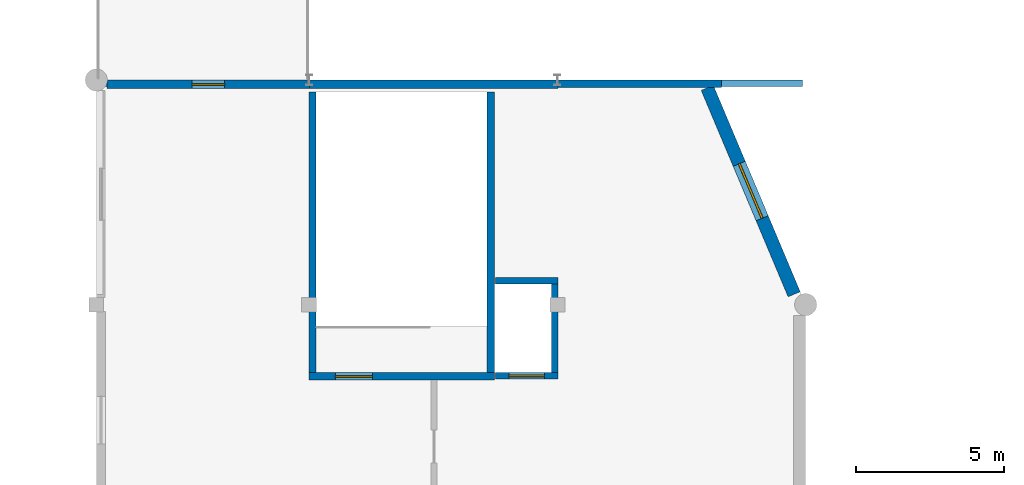
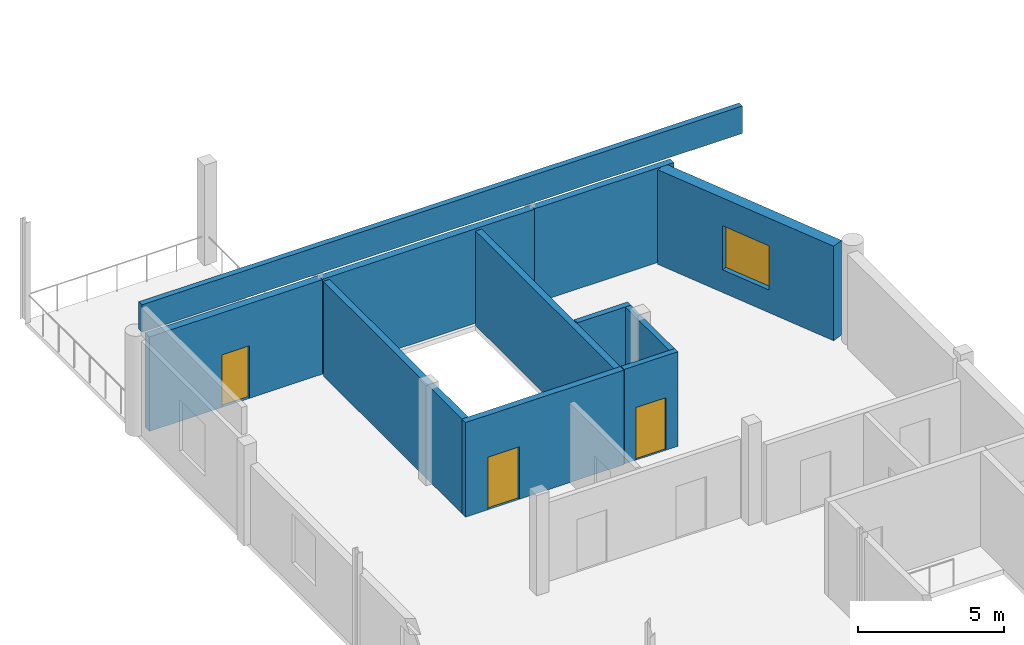
# One storey, part 14 of 17: 11 walls, 3 doors, 1 window, 4 openings.
"""IFC4 building model written with IfcOpenShell, lengths in metres."""

from ifc_helpers import new_model, si_unit, direction, frame, frame_2d, origin, place, context, subcontext, project, spatial, rectangle, extrude, material, layer, layer_set, type_object, element, fill, save


model = new_model("IFC4")

# Units and contexts
model_context = context("Model", 3, precision=1e-05, world=origin(), true_north=direction((0.0, 1.0)))
body_context = subcontext(model_context, "Body", "Model", "MODEL_VIEW")
ifc_project = project(units=[si_unit("LENGTHUNIT", "METRE"), si_unit("AREAUNIT", "SQUARE_METRE"), si_unit("VOLUMEUNIT", "CUBIC_METRE"), si_unit("PLANEANGLEUNIT", "RADIAN"), si_unit("MASSUNIT", "GRAM", prefix="KILO")], contexts=[model_context])

# Site, building, storey
site_placement = place(None, origin())
site = spatial("IfcSite", under=ifc_project, at=site_placement, CompositionType="ELEMENT")
building_placement = place(site_placement, origin())
building = spatial("IfcBuilding", under=site, at=building_placement, Name="Xicomal Pleat Aquarium", CompositionType="ELEMENT")
storey_placement = place(building_placement, frame((0.0, 0.0, 19.800048828125)))
storey = spatial("IfcBuildingStorey", under=building, at=storey_placement, Name="L05", CompositionType="ELEMENT", Elevation=19.800048828125)

# Wall, opening, door
ifc_material_1 = material(Name="Concrete C40/50", Category="concrete")
ifc_layer_1 = layer(ifc_material_1, 0.219970703125)
ifc_layer_set_1 = layer_set([ifc_layer_1], Name="Concrete C40/50")
wall_type_1 = type_object("IfcWallType", Name="WAL-COR-220", PredefinedType="SHEAR", material=ifc_layer_set_1)
wall_1_placement = place(storey_placement, frame((16.5, 65.989990234375, 0.0), z_axis=(0.0, 0.0, 1.0), x_axis=(1.0, 0.0, 0.0)))
wall_1 = element("IfcWall", 1, at=wall_1_placement, inside=storey, type_object=wall_type_1, Name="L05 LF-03 lift shaft wall CW-L05-C3-LS", PredefinedType="SHEAR", context=body_context, shape_type="SweptSolid", body=[
    extrude(rectangle(XDim=2.1201171875, YDim=0.219970703125, at=frame_2d((1.06005859375, 0.0))), origin(), (0.0, 0.0, 1.0), 3.9599609375),
])
opening_1_placement = place(wall_1_placement, frame((0.4599609375, 0.0, 0.0)))
opening_1 = element("IfcOpeningElement", 2, at=opening_1_placement, cuts=wall_1, Name="Opening LD-03-L05", PredefinedType="OPENING", context=body_context, shape_type="SweptSolid", body=[
    extrude(rectangle(XDim=1.199951171875, YDim=2.199951171875, at=frame_2d((0.60009765625, 1.10009765625))), frame((0.0, 0.119873046875, 0.0), z_axis=(0.0, -1.0, 0.0), x_axis=(1.0, 0.0, 0.0)), (0.0, 0.0, 1.0), 0.239990234375),
])
ifc_material_2 = material(Name="Brushed stainless steel 304", Category="steel")
door_type_1 = type_object("IfcDoorType", Name="DOR-LD-1200x2200", OperationType="DOUBLE_DOOR_SLIDING", PredefinedType="DOOR", material=ifc_material_2)
door_1_placement = place(opening_1_placement, origin())
door_1 = element("IfcDoor", 3, at=door_1_placement, inside=storey, type_object=door_type_1, Name="L05 LF-03 sliding lift landing door", OperationType="DOUBLE_DOOR_SLIDING", OverallHeight=2.199951171875, OverallWidth=1.199951171875, PredefinedType="DOOR", context=body_context, shape_type="SweptSolid", body=[
    extrude(rectangle(XDim=1.199951171875, YDim=2.199951171875, at=frame_2d((0.60009765625, 1.10009765625))), frame((0.0, 0.02490234375, 0.0), z_axis=(0.0, -1.0, 0.0), x_axis=(1.0, 0.0, 0.0)), (0.0, 0.0, 1.0), 0.050048828125),
])
fill(opening_1, door_1)

# Walls
wall_2_placement = place(storey_placement, frame((16.5, 69.2099609375, 0.0), z_axis=(0.0, 0.0, 1.0), x_axis=(1.0, 0.0, 0.0)))
element("IfcWall", 4, at=wall_2_placement, inside=storey, type_object=wall_type_1, Name="L05 LF-03 lift shaft wall CW-L05-C3-LN", PredefinedType="SHEAR", context=body_context, shape_type="SweptSolid", body=[
    extrude(rectangle(XDim=2.1201171875, YDim=0.219970703125, at=frame_2d((1.06005859375, 0.0))), origin(), (0.0, 0.0, 1.0), 3.9599609375),
])
wall_3_placement = place(storey_placement, frame((18.510009765625, 66.10009765625, 0.0), z_axis=(0.0, 0.0, 1.0), x_axis=(0.0, 1.0, 0.0)))
element("IfcWall", 5, at=wall_3_placement, inside=storey, type_object=wall_type_1, Name="L05 LF-03 lift shaft wall CW-L05-C3-LE", PredefinedType="SHEAR", context=body_context, shape_type="SweptSolid", body=[
    extrude(rectangle(XDim=3.0, YDim=0.219970703125, at=frame_2d((1.5, 0.0))), origin(), (0.0, 0.0, 1.0), 3.9599609375),
])

# Wall, opening, door
ifc_material_3 = material(Name="Concrete C40/50", Category="concrete")
ifc_layer_2 = layer(ifc_material_3, 0.25)
ifc_layer_set_2 = layer_set([ifc_layer_2], Name="Concrete C40/50")
wall_type_2 = type_object("IfcWallType", Name="WAL-COR-250", PredefinedType="SHEAR", material=ifc_layer_set_2)
wall_4_placement = place(storey_placement, frame((10.18994140625, 65.97509765625, 0.0), z_axis=(0.0, 0.0, 1.0), x_axis=(1.0, 0.0, 0.0)))
wall_4 = element("IfcWall", 6, at=wall_4_placement, inside=storey, type_object=wall_type_2, Name="L05 CORE-3 stair shear wall CW-L05-C3-SS", PredefinedType="SHEAR", context=body_context, shape_type="SweptSolid", body=[
    extrude(rectangle(XDim=6.280029296875, YDim=0.25, at=frame_2d((3.14013671875, 0.0))), origin(), (0.0, 0.0, 1.0), 3.9599609375),
])
opening_2_placement = place(wall_4_placement, frame((0.89990234375, 0.0, 0.0)))
opening_2 = element("IfcOpeningElement", 7, at=opening_2_placement, cuts=wall_4, Name="Opening SD-03-L05", PredefinedType="OPENING", context=body_context, shape_type="SweptSolid", body=[
    extrude(rectangle(XDim=1.25, YDim=2.199951171875, at=frame_2d((0.625, 1.10009765625))), frame((0.0, 0.135009765625, 0.0), z_axis=(0.0, -1.0, 0.0), x_axis=(1.0, 0.0, 0.0)), (0.0, 0.0, 1.0), 0.27001953125),
])
ifc_material_4 = material(Name="Powder-coated steel fire door", Category="steel")
door_type_2 = type_object("IfcDoorType", Name="DOR-ST-1250x2200", OperationType="NOTDEFINED", PredefinedType="DOOR", material=ifc_material_4)
door_2_placement = place(opening_2_placement, origin())
door_2 = element("IfcDoor", 8, at=door_2_placement, inside=storey, type_object=door_type_2, Name="L05 ST-03 protected stair door", OperationType="SINGLE_SWING_LEFT", OverallHeight=2.199951171875, OverallWidth=1.25, PredefinedType="DOOR", context=body_context, shape_type="SweptSolid", body=[
    extrude(rectangle(XDim=1.25, YDim=2.199951171875, at=frame_2d((0.625, 1.10009765625))), frame((0.0, 0.02490234375, 0.0), z_axis=(0.0, -1.0, 0.0), x_axis=(1.0, 0.0, 0.0)), (0.0, 0.0, 1.0), 0.050048828125),
])
fill(opening_2, door_2)

# Walls
for number, where, z_axis, x_axis, name in (
    (9, (10.31494140625, 66.10009765625, 0.0), (0.0, 0.0, 1.0), (0.0, 1.0, 0.0), "L05 CORE-3 stair shear wall CW-L05-C3-SW"),
    (10, (16.344970703125, 66.10009765625, 0.0), (0.0, 0.0, 1.0), (0.0, 1.0, 0.0), "L05 CORE-3 stair shear wall CW-L05-C3-SE"),
):
    element("IfcWall", number, at=place(storey_placement, frame(where, z_axis=z_axis, x_axis=x_axis)), inside=storey, type_object=wall_type_2, Name=name, PredefinedType="SHEAR", context=body_context, shape_type="SweptSolid", body=[
        extrude(rectangle(XDim=9.5, YDim=0.25, at=frame_2d((4.75, 0.0))), origin(), (0.0, 0.0, 1.0), 3.9599609375),
    ])

# Wall, opening, window
ifc_material_5 = material(Name="Volcanic basalt recinto masonry and concrete C40/50", Category="masonry")
ifc_layer_3 = layer(ifc_material_5, 0.445068359375)
ifc_layer_set_3 = layer_set([ifc_layer_3], Name="Volcanic basalt recinto masonry and concrete C40/50")
wall_type_3 = type_object("IfcWallType", Name="WAL-EXT-BAS-445", PredefinedType="SOLIDWALL", material=ifc_layer_set_3)
wall_5_placement = place(storey_placement, frame((23.669921875, 75.735107421875, 0.0), z_axis=(0.0, 0.0, 1.0), x_axis=(0.388046916513, -0.921639620776, 0.0)))
wall_5 = element("IfcWall", 11, at=wall_5_placement, inside=storey, type_object=wall_type_3, Name="L05 exterior basalt-precast wall EW-L05-034B", PredefinedType="SOLIDWALL", context=body_context, shape_type="SweptSolid", body=[
    extrude(rectangle(XDim=7.576904296875, YDim=0.445068359375, at=frame_2d((3.78857421875, 0.0))), origin(), (0.0, 0.0, 1.0), 3.9599609375),
])
opening_3_placement = place(wall_5_placement, frame((2.7880859375, 0.0, 0.949951171875)))
opening_3 = element("IfcOpeningElement", 12, at=opening_3_placement, cuts=wall_5, Name="Opening WN-20", PredefinedType="OPENING", context=body_context, shape_type="SweptSolid", body=[
    extrude(rectangle(XDim=2.0, YDim=1.85009765625, at=frame_2d((1.0, 0.925048828125))), frame((0.0, 0.232421875, 0.0), z_axis=(0.0, -1.0, 0.0), x_axis=(1.0, 0.0, 0.0)), (0.0, 0.0, 1.0), 0.465087890625),
])
ifc_material_6 = material(Name="Insulated low-E laminated glass", Category="glass")
window_type = type_object("IfcWindowType", Name="WIN-EXT-2000x1850", PartitioningType="DOUBLE_PANEL_VERTICAL", PredefinedType="WINDOW", material=ifc_material_6)
window_placement = place(opening_3_placement, origin())
window = element("IfcWindow", 13, at=window_placement, inside=storey, type_object=window_type, Name="L05 thermally broken low-E window 92", OverallHeight=1.85009765625, OverallWidth=2.0, PartitioningType="SINGLE_PANEL", PredefinedType="WINDOW", context=body_context, shape_type="SweptSolid", body=[
    extrude(rectangle(XDim=2.0, YDim=1.85009765625, at=frame_2d((1.0, 0.925048828125))), frame((0.0, 0.030029296875, 0.0), z_axis=(0.0, -1.0, 0.0), x_axis=(1.0, 0.0, 0.0)), (0.0, 0.0, 1.0), 0.06005859375),
])
fill(opening_3, window)

# Walls
ifc_material_7 = material(Name="Precast concrete C40/50", Category="concrete")
ifc_layer_4 = layer(ifc_material_7, 0.260009765625)
ifc_layer_set_4 = layer_set([ifc_layer_4], Name="Precast concrete C40/50")
wall_type_4 = type_object("IfcWallType", Name="WAL-EXT-PRC-260", PredefinedType="SOLIDWALL", material=ifc_layer_set_4)
wall_6_placement = place(storey_placement, frame((18.6201171875, 75.8701171875, 0.0), z_axis=(0.0, 0.0, 1.0), x_axis=(1.0, 0.0, 0.0)))
element("IfcWall", 14, at=wall_6_placement, inside=storey, type_object=wall_type_4, Name="L05 exterior basalt-precast wall EW-L05-033", PredefinedType="SOLIDWALL", context=body_context, shape_type="SweptSolid", body=[
    extrude(rectangle(XDim=5.539794921875, YDim=0.260009765625, at=frame_2d((2.77001953125, 0.0))), origin(), (0.0, 0.0, 1.0), 3.9599609375),
])
ifc_material_8 = material(Name="Precast concrete C40/50", Category="concrete")
ifc_layer_5 = layer(ifc_material_8, 0.280029296875)
ifc_layer_set_5 = layer_set([ifc_layer_5], Name="Precast concrete C40/50")
wall_type_5 = type_object("IfcWallType", Name="WAL-EXT-PRC-280", PredefinedType="SOLIDWALL", material=ifc_layer_set_5)
wall_7_placement = place(storey_placement, frame((10.219970703125, 75.860107421875, 0.0), z_axis=(0.0, 0.0, 1.0), x_axis=(1.0, 0.0, 0.0)))
element("IfcWall", 15, at=wall_7_placement, inside=storey, type_object=wall_type_5, Name="L05 exterior basalt-precast wall EW-L05-032", PredefinedType="SOLIDWALL", context=body_context, shape_type="SweptSolid", body=[
    extrude(rectangle(XDim=8.400146484375, YDim=0.280029296875, at=frame_2d((4.2001953125, 0.0))), origin(), (0.0, 0.0, 1.0), 3.9599609375),
])

# Wall, opening, door
ifc_material_9 = material(Name="Precast concrete C40/50", Category="concrete")
ifc_layer_6 = layer(ifc_material_9, 0.2900390625)
ifc_layer_set_6 = layer_set([ifc_layer_6], Name="Precast concrete C40/50")
wall_type_6 = type_object("IfcWallType", Name="WAL-EXT-PRC-290", PredefinedType="SOLIDWALL", material=ifc_layer_set_6)
wall_8_placement = place(storey_placement, frame((3.360107421875, 75.85498046875, 0.0), z_axis=(0.0, 0.0, 1.0), x_axis=(1.0, 0.0, 0.0)))
wall_8 = element("IfcWall", 16, at=wall_8_placement, inside=storey, type_object=wall_type_6, Name="L05 exterior basalt-precast wall EW-L05-031", PredefinedType="SOLIDWALL", context=body_context, shape_type="SweptSolid", body=[
    extrude(rectangle(XDim=6.85986328125, YDim=0.2900390625, at=frame_2d((3.429931640625, 0.0))), origin(), (0.0, 0.0, 1.0), 3.9599609375),
])
opening_4_placement = place(wall_8_placement, frame((2.8798828125, 0.0, 0.0)))
opening_4 = element("IfcOpeningElement", 17, at=opening_4_placement, cuts=wall_8, Name="Opening TD-L05-04", PredefinedType="OPENING", context=body_context, shape_type="SweptSolid", body=[
    extrude(rectangle(XDim=1.10009765625, YDim=2.199951171875, at=frame_2d((0.550048828125, 1.10009765625))), frame((0.0, 0.155029296875, 0.0), z_axis=(0.0, -1.0, 0.0), x_axis=(1.0, 0.0, 0.0)), (0.0, 0.0, 1.0), 0.31005859375),
])
ifc_material_10 = material(Name="Bronze anodized aluminium and laminated safety glass", Category="aluminium")
door_type_3 = type_object("IfcDoorType", Name="DOR-TER-1100x2200", OperationType="NOTDEFINED", PredefinedType="DOOR", material=ifc_material_10)
door_3_placement = place(opening_4_placement, origin())
door_3 = element("IfcDoor", 18, at=door_3_placement, inside=storey, type_object=door_type_3, Name="L05 outdoor court terrace door 4", OperationType="SINGLE_SWING_LEFT", OverallHeight=2.199951171875, OverallWidth=1.10009765625, PredefinedType="DOOR", context=body_context, shape_type="SweptSolid", body=[
    extrude(rectangle(XDim=1.10009765625, YDim=2.199951171875, at=frame_2d((0.550048828125, 1.10009765625))), frame((0.0, 0.02490234375, 0.0), z_axis=(0.0, -1.0, 0.0), x_axis=(1.0, 0.0, 0.0)), (0.0, 0.0, 1.0), 0.050048828125),
])
fill(opening_4, door_3)

# Wall
ifc_material_11 = material(Name="Precast concrete C40/50", Category="concrete")
ifc_layer_7 = layer(ifc_material_11, 0.219970703125)
ifc_layer_set_7 = layer_set([ifc_layer_7], Name="Precast concrete C40/50")
wall_type_7 = type_object("IfcWallType", Name="WAL-PAR-220", PredefinedType="PARAPET", material=ifc_layer_set_7)
wall_9_placement = place(storey_placement, frame((3.110107421875, 75.889892578125, 4.199951171875), z_axis=(0.0, 0.0, 1.0), x_axis=(1.0, 0.0, 0.0)))
element("IfcWall", 19, at=wall_9_placement, inside=storey, type_object=wall_type_7, Name="L05 roof perimeter parapet PW-RF-W-N", PredefinedType="PARAPET", context=body_context, shape_type="SweptSolid", body=[
    extrude(rectangle(XDim=23.77978515625, YDim=0.219970703125, at=frame_2d((11.889892578125, 0.0))), origin(), (0.0, 0.0, 1.0), 1.14990234375),
])

save(model, "model.ifc")
